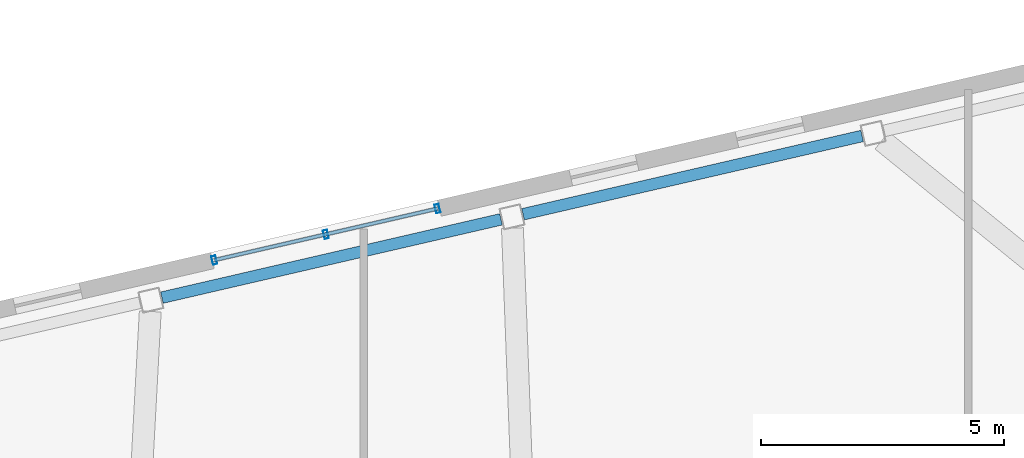
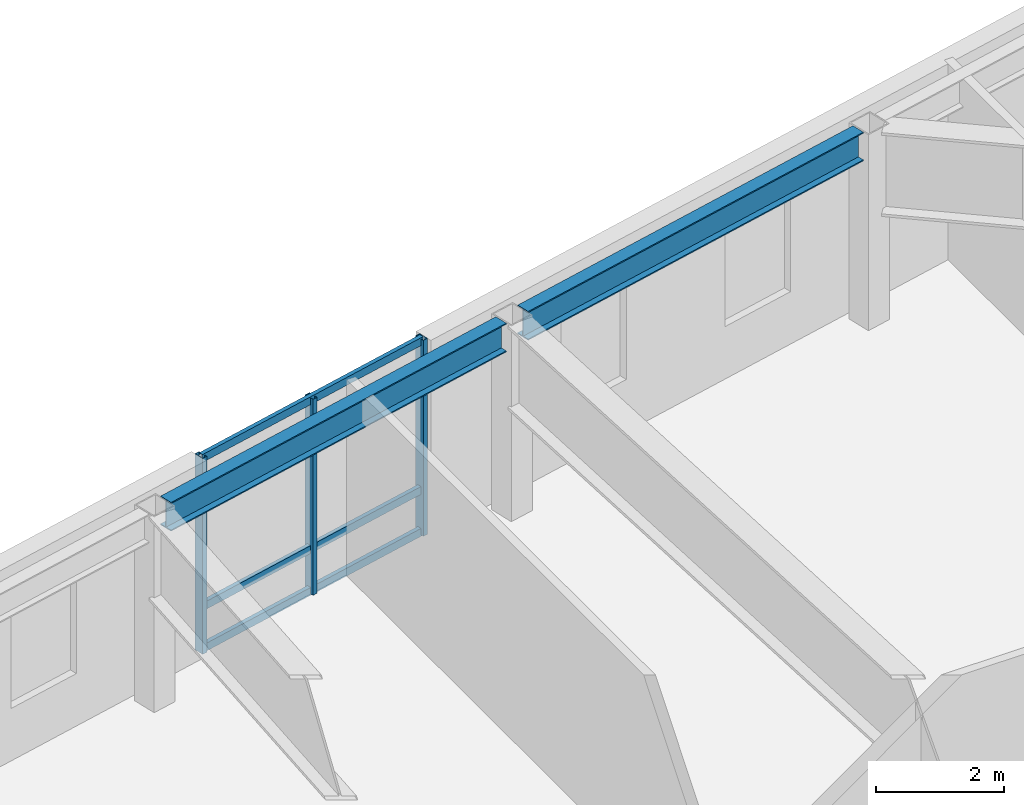
# One storey, part 12 of 21: 6 members, 2 beams, 1 element without a shape of its own.
"""IFC4 building model written with IfcOpenShell, lengths in metres."""

from ifc_helpers import new_model, si_unit, direction, frame, origin, origin_2d, place, context, subcontext, project, spatial, hollow_rectangle, i_section, extrude, material, layer, layer_set, material_profile, profile_set, type_object, element, aggregate, save


model = new_model("IFC4")

# Units and contexts
model_context = context("Model", 3, precision=1e-05, world=origin(), true_north=direction((0.0, 1.0)))
body_context = subcontext(model_context, "Body", "Model", "MODEL_VIEW")
ifc_project = project(units=[si_unit("LENGTHUNIT", "METRE"), si_unit("AREAUNIT", "SQUARE_METRE"), si_unit("VOLUMEUNIT", "CUBIC_METRE"), si_unit("PLANEANGLEUNIT", "RADIAN"), si_unit("MASSUNIT", "GRAM", prefix="KILO")], contexts=[model_context])

# Site, building, storey
site_placement = place(None, origin())
site = spatial("IfcSite", under=ifc_project, at=site_placement, CompositionType="ELEMENT")
building_placement = place(site_placement, origin())
building = spatial("IfcBuilding", under=site, at=building_placement, Name="Tavrogorsk Clinical Tower", CompositionType="ELEMENT")
storey_placement = place(building_placement, frame((0.0, 0.0, 281.0)))
storey = spatial("IfcBuildingStorey", under=building, at=storey_placement, Name="L65", CompositionType="ELEMENT", Elevation=281.0)

# Curtain wall, members
ifc_material_1 = material(Name="Anodised aluminium and triple IGU glazing", Category="aluminium")
ifc_layer = layer(ifc_material_1, 0.179931640625)
ifc_layer_set = layer_set([ifc_layer], Name="Anodised aluminium and triple IGU glazing")
curtain_wall_type = type_object("IfcCurtainWallType", Name="CW2_NorthSlot", PredefinedType="NOTDEFINED", material=ifc_layer_set)
curtain_wall_placement = place(storey_placement, origin())
curtain_wall = element("IfcCurtainWall", 1, at=curtain_wall_placement, inside=storey, type_object=curtain_wall_type, Name="L65 Curtain Wall CW-L65-N-SLOT-2", PredefinedType="NOTDEFINED")
ifc_material_2 = material(Name="Anodised aluminium alloy AW-6060", Category="aluminium")
ifc_material_profile_1 = material_profile(ifc_material_2, hollow_rectangle(XDim=0.090087890625, YDim=0.179931640625, WallThickness=0.00634765625, at=origin_2d()), Name="RHS-180x90x6.3")
ifc_profile_set_1 = profile_set([ifc_material_profile_1], Name="Anodised aluminium alloy AW-6060")
member_type_1 = type_object("IfcMemberType", Name="CwMullion_180x90", PredefinedType="MULLION", material=ifc_profile_set_1)
member_1_placement = place(storey_placement, frame((2.26904296875, 22.400634765625, 0.0), z_axis=(0.0, 0.0, 1.0), x_axis=(-0.974370092441, -0.224950934554, 0.0)))
member_1 = element("IfcMember", 2, at=member_1_placement, type_object=member_type_1, Name="CW-L65-N-SLOT-2 Mullion 1", PredefinedType="MULLION", context=body_context, shape_type="SweptSolid", body=[
    extrude(hollow_rectangle(XDim=0.090087890625, YDim=0.179931640625, WallThickness=0.00634765625, at=origin_2d()), origin(), (0.0, 0.0, 1.0), 3.739990234375),
])
member_2_placement = place(storey_placement, frame((-0.029541015625, 21.869873046875, 0.0), z_axis=(0.0, 0.0, 1.0), x_axis=(-0.974370092441, -0.224950934554, 0.0)))
member_2 = element("IfcMember", 3, at=member_2_placement, type_object=member_type_1, Name="CW-L65-N-SLOT-2 Mullion 2", PredefinedType="MULLION", context=body_context, shape_type="SweptSolid", body=[
    extrude(hollow_rectangle(XDim=0.090087890625, YDim=0.179931640625, WallThickness=0.00634765625, at=origin_2d()), origin(), (0.0, 0.0, 1.0), 3.739990234375),
])
member_3_placement = place(storey_placement, frame((-2.328125, 21.339111328125, 0.0), z_axis=(0.0, 0.0, 1.0), x_axis=(-0.974370092441, -0.224950934554, 0.0)))
member_3 = element("IfcMember", 4, at=member_3_placement, type_object=member_type_1, Name="CW-L65-N-SLOT-2 Mullion 3", PredefinedType="MULLION", context=body_context, shape_type="SweptSolid", body=[
    extrude(hollow_rectangle(XDim=0.090087890625, YDim=0.179931640625, WallThickness=0.00634765625, at=origin_2d()), origin(), (0.0, 0.0, 1.0), 3.739990234375),
])
ifc_material_3 = material(Name="Anodised aluminium alloy AW-6060", Category="aluminium")
ifc_material_profile_2 = material_profile(ifc_material_3, hollow_rectangle(XDim=0.074951171875, YDim=0.14990234375, WallThickness=0.0048828125, at=origin_2d()), Name="RHS-150x75x5")
ifc_profile_set_2 = profile_set([ifc_material_profile_2], Name="Anodised aluminium alloy AW-6060")
member_type_2 = type_object("IfcMemberType", Name="CwTransom_150x75", PredefinedType="USERDEFINED", material=ifc_profile_set_2)
member_4_placement = place(storey_placement, frame((2.26904296875, 22.400634765625, 0.050048828125), z_axis=(-0.974361535497, -0.224987995557, 0.0), x_axis=(0.224987995557, -0.974361535497, 0.0)))
member_4 = element("IfcMember", 5, at=member_4_placement, type_object=member_type_2, Name="CW-L65-N-SLOT-2 Transom 1", ObjectType="TRANSOM", PredefinedType="USERDEFINED", context=body_context, shape_type="SweptSolid", body=[
    extrude(hollow_rectangle(XDim=0.074951171875, YDim=0.14990234375, WallThickness=0.0048828125, at=origin_2d()), origin(), (0.0, 0.0, 1.0), 4.718017578125),
])
member_5_placement = place(storey_placement, frame((2.26904296875, 22.400634765625, 0.85009765625), z_axis=(-0.974361535497, -0.224987995557, 0.0), x_axis=(0.224987995557, -0.974361535497, 0.0)))
member_5 = element("IfcMember", 6, at=member_5_placement, type_object=member_type_2, Name="CW-L65-N-SLOT-2 Transom 2", ObjectType="TRANSOM", PredefinedType="USERDEFINED", context=body_context, shape_type="SweptSolid", body=[
    extrude(hollow_rectangle(XDim=0.074951171875, YDim=0.14990234375, WallThickness=0.0048828125, at=origin_2d()), origin(), (0.0, 0.0, 1.0), 4.718017578125),
])
member_6_placement = place(storey_placement, frame((2.26904296875, 22.400634765625, 3.68994140625), z_axis=(-0.974361535497, -0.224987995557, 0.0), x_axis=(0.224987995557, -0.974361535497, 0.0)))
member_6 = element("IfcMember", 7, at=member_6_placement, type_object=member_type_2, Name="CW-L65-N-SLOT-2 Transom 3", ObjectType="TRANSOM", PredefinedType="USERDEFINED", context=body_context, shape_type="SweptSolid", body=[
    extrude(hollow_rectangle(XDim=0.074951171875, YDim=0.14990234375, WallThickness=0.0048828125, at=origin_2d()), origin(), (0.0, 0.0, 1.0), 4.718017578125),
])
aggregate(curtain_wall, [member_1, member_2, member_3, member_4, member_5, member_6])

# Beams
ifc_material_4 = material(Name="Structural steel S390", Category="steel")
ifc_material_profile_3 = material_profile(ifc_material_4, i_section(OverallWidth=0.239990234375, OverallDepth=0.550048828125, WebThickness=0.013916015625, FlangeThickness=0.02197265625, at=origin_2d()), Name="B-550x240x14x22")
ifc_profile_set_3 = profile_set([ifc_material_profile_3], Name="Structural steel S390")
beam_type = type_object("IfcBeamType", Name="SpandrelBeam_B550", PredefinedType="SPANDREL", material=ifc_profile_set_3)
for number, where, z_axis, x_axis, name in (
    (8, (11.01611328125, 23.896484375, 3.465087890625), (-0.974369378592, -0.224954026551, 0.0), (0.224954026551, -0.974369378592, 0.0), "L65 Perimeter Spandrel N2-N3"),
    (9, (3.577392578125, 22.17919921875, 3.465087890625), (-0.974369378592, -0.224954026551, 0.0), (0.224954026551, -0.974369378592, 0.0), "L65 Perimeter Spandrel N3-N4"),
):
    element("IfcBeam", number, at=place(storey_placement, frame(where, z_axis=z_axis, x_axis=x_axis)), inside=storey, type_object=beam_type, Name=name, PredefinedType="SPANDREL", context=body_context, shape_type="SweptSolid", body=[
        extrude(i_section(OverallWidth=0.239990234375, OverallDepth=0.550048828125, WebThickness=0.013916015625, FlangeThickness=0.02197265625, at=origin_2d()), origin(), (0.0, 0.0, 1.0), 7.16845703125),
    ])

save(model, "model.ifc")
